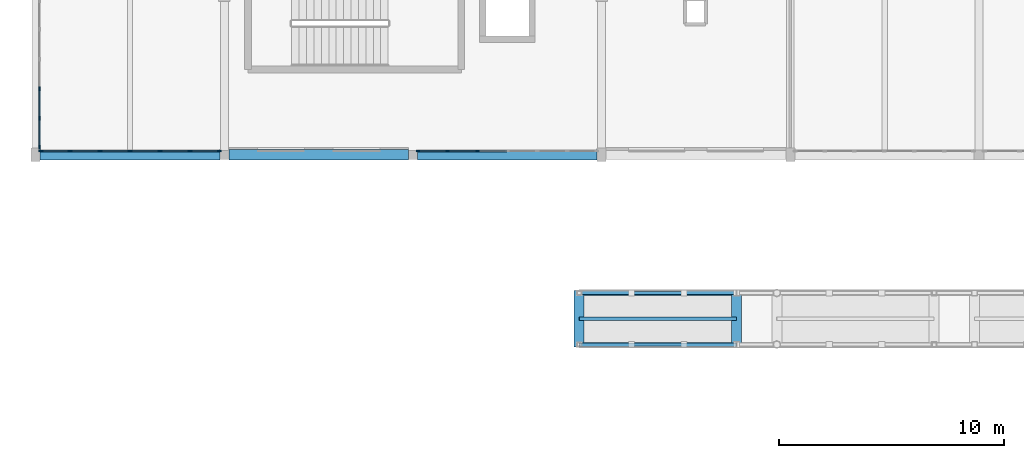
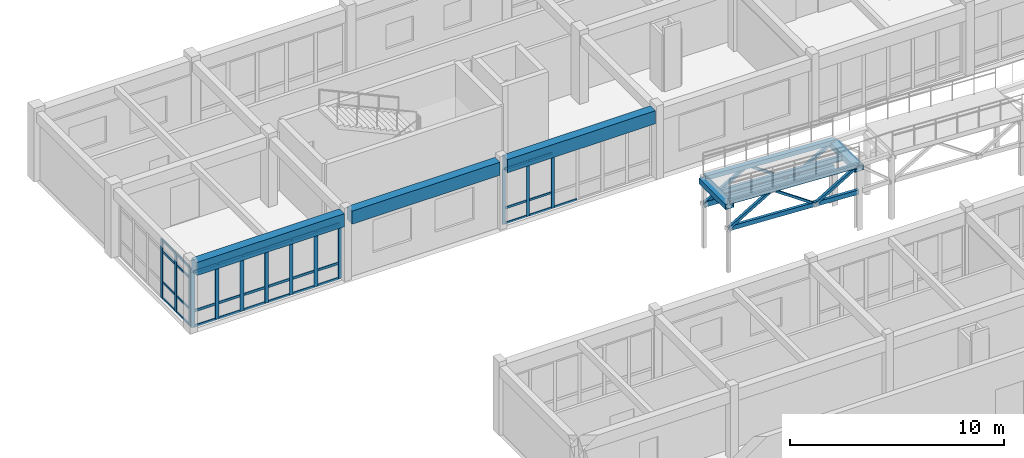
# One storey, part 25 of 89: 56 members, 6 beams, 3 elements without a shape of their own.
"""IFC4 building model written with IfcOpenShell, lengths in metres."""

from ifc_helpers import new_model, si_unit, direction, frame, origin, origin_2d, place, context, subcontext, project, spatial, rectangle, hollow_rectangle, i_section, extrude, material, material_profile, profile_set, type_object, element, aggregate, save


model = new_model("IFC4")

# Units and contexts
model_context = context("Model", 3, precision=1e-05, world=origin(), true_north=direction((0.0, 1.0)))
body_context = subcontext(model_context, "Body", "Model", "MODEL_VIEW")
ifc_project = project(units=[si_unit("LENGTHUNIT", "METRE"), si_unit("AREAUNIT", "SQUARE_METRE"), si_unit("VOLUMEUNIT", "CUBIC_METRE"), si_unit("PLANEANGLEUNIT", "RADIAN"), si_unit("MASSUNIT", "GRAM", prefix="KILO")], contexts=[model_context])

# Site, building, storey
site_placement = place(None, origin())
site = spatial("IfcSite", under=ifc_project, at=site_placement, CompositionType="ELEMENT")
building_placement = place(site_placement, origin())
building = spatial("IfcBuilding", under=site, at=building_placement, Name="Malvenik Polytechnic", CompositionType="ELEMENT")
storey_placement = place(building_placement, frame((0.0, 0.0, 13.5)))
storey = spatial("IfcBuildingStorey", under=building, at=storey_placement, Name="L03", CompositionType="ELEMENT", Elevation=13.5)

# Curtain wall, members
ifc_material_1 = material(Name="Anodised aluminium 6060-T6", Category="aluminium")
curtain_wall_type_1 = type_object("IfcCurtainWallType", Name="ARC-CW-CW-02", PredefinedType="NOTDEFINED", material=ifc_material_1)
curtain_wall_1_placement = place(storey_placement, origin())
curtain_wall_1 = element("IfcCurtainWall", 1, at=curtain_wall_1_placement, inside=storey, type_object=curtain_wall_type_1, Name="Unitised Curtain Wall CW-02 L03 #203", PredefinedType="NOTDEFINED")
ifc_material_2 = material(Name="Anodised aluminium", Category="aluminium")
ifc_material_profile_1 = material_profile(ifc_material_2, rectangle(XDim=0.06005859375, YDim=0.159912109375, at=origin_2d()), Name="ALU MULLION 60x160")
ifc_profile_set_1 = profile_set([ifc_material_profile_1], Name="Anodised aluminium")
member_type_1 = type_object("IfcMemberType", Name="ARC-CWM-160", PredefinedType="MULLION", material=ifc_profile_set_1)
member_1_placement = place(storey_placement, frame((19.666015625, 79.3701171875, 0.0), z_axis=(0.0, 0.0, 1.0), x_axis=(0.0, -1.0, 0.0)))
member_1 = element("IfcMember", 2, at=member_1_placement, type_object=member_type_1, Name="CW-02 mullion 5", PredefinedType="MULLION", context=body_context, shape_type="SweptSolid", body=[
    extrude(rectangle(XDim=0.06005859375, YDim=0.159912109375, at=origin_2d()), origin(), (0.0, 0.0, 1.0), 3.159912109375),
])
member_2_placement = place(storey_placement, frame((18.33203125, 79.3701171875, 0.0), z_axis=(0.0, 0.0, 1.0), x_axis=(0.0, -1.0, 0.0)))
member_2 = element("IfcMember", 3, at=member_2_placement, type_object=member_type_1, Name="CW-02 mullion 6", PredefinedType="MULLION", context=body_context, shape_type="SweptSolid", body=[
    extrude(rectangle(XDim=0.06005859375, YDim=0.159912109375, at=origin_2d()), origin(), (0.0, 0.0, 1.0), 3.159912109375),
])
member_3_placement = place(storey_placement, frame((17.028076171875, 79.3701171875, 0.0), z_axis=(0.0, 0.0, 1.0), x_axis=(0.0, -1.0, 0.0)))
member_3 = element("IfcMember", 4, at=member_3_placement, type_object=member_type_1, Name="CW-02 mullion 7", PredefinedType="MULLION", context=body_context, shape_type="SweptSolid", body=[
    extrude(rectangle(XDim=0.06005859375, YDim=0.159912109375, at=origin_2d()), origin(), (0.0, 0.0, 1.0), 3.159912109375),
])

curtain_wall_type_2 = type_object("IfcCurtainWallType", Name="ARC-CW-CW-05", PredefinedType="NOTDEFINED", material=ifc_material_1)
curtain_wall_2_placement = place(storey_placement, origin())
curtain_wall_2 = element("IfcCurtainWall", 5, at=curtain_wall_2_placement, inside=storey, type_object=curtain_wall_type_2, Name="Unitised Curtain Wall CW-05 L03 #205", PredefinedType="NOTDEFINED")
ifc_material_profile_2 = material_profile(ifc_material_2, rectangle(XDim=0.06005859375, YDim=0.179931640625, at=origin_2d()), Name="ALU MULLION 60x180")
ifc_profile_set_2 = profile_set([ifc_material_profile_2], Name="Anodised aluminium")
member_type_2 = type_object("IfcMemberType", Name="ARC-CWM-180", PredefinedType="MULLION", material=ifc_profile_set_2)
member_4_placement = place(storey_placement, frame((0.169921875, 79.528076171875, 0.0), z_axis=(0.0, 0.0, 1.0), x_axis=(-1.0, 0.0, 0.0)))
member_4 = element("IfcMember", 6, at=member_4_placement, type_object=member_type_2, Name="CW-05 mullion 1", PredefinedType="MULLION", context=body_context, shape_type="SweptSolid", body=[
    extrude(rectangle(XDim=0.06005859375, YDim=0.179931640625, at=origin_2d()), origin(), (0.0, 0.0, 1.0), 3.360107421875),
])
member_5_placement = place(storey_placement, frame((0.169921875, 80.81884765625, 0.0), z_axis=(0.0, 0.0, 1.0), x_axis=(-1.0, 0.0, 0.0)))
member_5 = element("IfcMember", 7, at=member_5_placement, type_object=member_type_2, Name="CW-05 mullion 2", PredefinedType="MULLION", context=body_context, shape_type="SweptSolid", body=[
    extrude(rectangle(XDim=0.06005859375, YDim=0.179931640625, at=origin_2d()), origin(), (0.0, 0.0, 1.0), 3.360107421875),
])
member_6_placement = place(storey_placement, frame((0.169921875, 82.1396484375, 0.0), z_axis=(0.0, 0.0, 1.0), x_axis=(-1.0, 0.0, 0.0)))
member_6 = element("IfcMember", 8, at=member_6_placement, type_object=member_type_2, Name="CW-05 mullion 3", PredefinedType="MULLION", context=body_context, shape_type="SweptSolid", body=[
    extrude(rectangle(XDim=0.06005859375, YDim=0.179931640625, at=origin_2d()), origin(), (0.0, 0.0, 1.0), 3.360107421875),
])

curtain_wall_3_placement = place(storey_placement, origin())
curtain_wall_3 = element("IfcCurtainWall", 9, at=curtain_wall_3_placement, inside=storey, type_object=curtain_wall_type_1, Name="Unitised Curtain Wall CW-02 L03 #204", PredefinedType="NOTDEFINED")
ifc_material_profile_3 = material_profile(ifc_material_2, rectangle(XDim=0.06005859375, YDim=0.199951171875, at=origin_2d()), Name="ALU MULLION 60x200")
ifc_profile_set_3 = profile_set([ifc_material_profile_3], Name="Anodised aluminium")
member_type_3 = type_object("IfcMemberType", Name="ARC-CWM-200", PredefinedType="MULLION", material=ifc_profile_set_3)
member_7_placement = place(storey_placement, frame((8.172119140625, 79.3701171875, 0.0), z_axis=(0.0, 0.0, 1.0), x_axis=(0.0, -1.0, 0.0)))
member_7 = element("IfcMember", 10, at=member_7_placement, type_object=member_type_3, Name="CW-02 mullion 1", PredefinedType="MULLION", context=body_context, shape_type="SweptSolid", body=[
    extrude(rectangle(XDim=0.06005859375, YDim=0.199951171875, at=origin_2d()), origin(), (0.0, 0.0, 1.0), 3.159912109375),
])
member_8_placement = place(storey_placement, frame((6.867919921875, 79.3701171875, 0.0), z_axis=(0.0, 0.0, 1.0), x_axis=(0.0, -1.0, 0.0)))
member_8 = element("IfcMember", 11, at=member_8_placement, type_object=member_type_3, Name="CW-02 mullion 2", PredefinedType="MULLION", context=body_context, shape_type="SweptSolid", body=[
    extrude(rectangle(XDim=0.06005859375, YDim=0.199951171875, at=origin_2d()), origin(), (0.0, 0.0, 1.0), 3.159912109375),
])
member_9_placement = place(storey_placement, frame((5.533935546875, 79.3701171875, 0.0), z_axis=(0.0, 0.0, 1.0), x_axis=(0.0, -1.0, 0.0)))
member_9 = element("IfcMember", 12, at=member_9_placement, type_object=member_type_3, Name="CW-02 mullion 3", PredefinedType="MULLION", context=body_context, shape_type="SweptSolid", body=[
    extrude(rectangle(XDim=0.06005859375, YDim=0.199951171875, at=origin_2d()), origin(), (0.0, 0.0, 1.0), 3.159912109375),
])
member_10_placement = place(storey_placement, frame((4.199951171875, 79.3701171875, 0.0), z_axis=(0.0, 0.0, 1.0), x_axis=(0.0, -1.0, 0.0)))
member_10 = element("IfcMember", 13, at=member_10_placement, type_object=member_type_3, Name="CW-02 mullion 4", PredefinedType="MULLION", context=body_context, shape_type="SweptSolid", body=[
    extrude(rectangle(XDim=0.06005859375, YDim=0.199951171875, at=origin_2d()), origin(), (0.0, 0.0, 1.0), 3.159912109375),
])
member_11_placement = place(storey_placement, frame((2.865966796875, 79.3701171875, 0.0), z_axis=(0.0, 0.0, 1.0), x_axis=(0.0, -1.0, 0.0)))
member_11 = element("IfcMember", 14, at=member_11_placement, type_object=member_type_3, Name="CW-02 mullion 5", PredefinedType="MULLION", context=body_context, shape_type="SweptSolid", body=[
    extrude(rectangle(XDim=0.06005859375, YDim=0.199951171875, at=origin_2d()), origin(), (0.0, 0.0, 1.0), 3.159912109375),
])
member_12_placement = place(storey_placement, frame((1.531982421875, 79.3701171875, 0.0), z_axis=(0.0, 0.0, 1.0), x_axis=(0.0, -1.0, 0.0)))
member_12 = element("IfcMember", 15, at=member_12_placement, type_object=member_type_3, Name="CW-02 mullion 6", PredefinedType="MULLION", context=body_context, shape_type="SweptSolid", body=[
    extrude(rectangle(XDim=0.06005859375, YDim=0.199951171875, at=origin_2d()), origin(), (0.0, 0.0, 1.0), 3.159912109375),
])
member_13_placement = place(storey_placement, frame((0.22802734375, 79.3701171875, 0.0), z_axis=(0.0, 0.0, 1.0), x_axis=(0.0, -1.0, 0.0)))
member_13 = element("IfcMember", 16, at=member_13_placement, type_object=member_type_3, Name="CW-02 mullion 7", PredefinedType="MULLION", context=body_context, shape_type="SweptSolid", body=[
    extrude(rectangle(XDim=0.06005859375, YDim=0.199951171875, at=origin_2d()), origin(), (0.0, 0.0, 1.0), 3.159912109375),
])

# Member
ifc_material_profile_4 = material_profile(ifc_material_2, rectangle(XDim=0.06005859375, YDim=0.1201171875, at=origin_2d()), Name="ALU TRANSOM 60x120")
ifc_profile_set_4 = profile_set([ifc_material_profile_4], Name="Anodised aluminium")
member_type_4 = type_object("IfcMemberType", Name="ARC-CWT-120", PredefinedType="USERDEFINED", material=ifc_profile_set_4)
member_14_placement = place(storey_placement, frame((20.969970703125, 79.3701171875, 0.030029296875), z_axis=(-1.0, 0.0, 0.0), x_axis=(0.0, -1.0, 0.0)))
member_14 = element("IfcMember", 17, at=member_14_placement, type_object=member_type_4, Name="CW-02 transom 4.1", ObjectType="TRANSOM", PredefinedType="USERDEFINED", context=body_context, shape_type="SweptSolid", body=[
    extrude(rectangle(XDim=0.06005859375, YDim=0.1201171875, at=origin_2d()), origin(), (0.0, 0.0, 1.0), 1.27392578125),
])

member_15_placement = place(storey_placement, frame((19.635986328125, 79.3701171875, 0.030029296875), z_axis=(-1.0, 0.0, 0.0), x_axis=(0.0, -1.0, 0.0)))
member_15 = element("IfcMember", 18, at=member_15_placement, type_object=member_type_4, Name="CW-02 transom 5.1", ObjectType="TRANSOM", PredefinedType="USERDEFINED", context=body_context, shape_type="SweptSolid", body=[
    extrude(rectangle(XDim=0.06005859375, YDim=0.1201171875, at=origin_2d()), origin(), (0.0, 0.0, 1.0), 1.27392578125),
])

member_16_placement = place(storey_placement, frame((19.635986328125, 79.3701171875, 0.89990234375), z_axis=(-1.0, 0.0, 0.0), x_axis=(0.0, -1.0, 0.0)))
member_16 = element("IfcMember", 19, at=member_16_placement, type_object=member_type_4, Name="CW-02 transom 5.2", ObjectType="TRANSOM", PredefinedType="USERDEFINED", context=body_context, shape_type="SweptSolid", body=[
    extrude(rectangle(XDim=0.06005859375, YDim=0.1201171875, at=origin_2d()), origin(), (0.0, 0.0, 1.0), 1.27392578125),
])

member_17_placement = place(storey_placement, frame((19.635986328125, 79.3701171875, 3.1298828125), z_axis=(-1.0, 0.0, 0.0), x_axis=(0.0, -1.0, 0.0)))
member_17 = element("IfcMember", 20, at=member_17_placement, type_object=member_type_4, Name="CW-02 transom 5.3", ObjectType="TRANSOM", PredefinedType="USERDEFINED", context=body_context, shape_type="SweptSolid", body=[
    extrude(rectangle(XDim=0.06005859375, YDim=0.1201171875, at=origin_2d()), origin(), (0.0, 0.0, 1.0), 1.27392578125),
])

member_18_placement = place(storey_placement, frame((18.302001953125, 79.3701171875, 0.030029296875), z_axis=(-1.0, 0.0, 0.0), x_axis=(0.0, -1.0, 0.0)))
member_18 = element("IfcMember", 21, at=member_18_placement, type_object=member_type_4, Name="CW-02 transom 6.1", ObjectType="TRANSOM", PredefinedType="USERDEFINED", context=body_context, shape_type="SweptSolid", body=[
    extrude(rectangle(XDim=0.06005859375, YDim=0.1201171875, at=origin_2d()), origin(), (0.0, 0.0, 1.0), 1.243896484375),
])

member_19_placement = place(storey_placement, frame((18.302001953125, 79.3701171875, 0.89990234375), z_axis=(-1.0, 0.0, 0.0), x_axis=(0.0, -1.0, 0.0)))
member_19 = element("IfcMember", 22, at=member_19_placement, type_object=member_type_4, Name="CW-02 transom 6.2", ObjectType="TRANSOM", PredefinedType="USERDEFINED", context=body_context, shape_type="SweptSolid", body=[
    extrude(rectangle(XDim=0.06005859375, YDim=0.1201171875, at=origin_2d()), origin(), (0.0, 0.0, 1.0), 1.243896484375),
])

member_20_placement = place(storey_placement, frame((18.302001953125, 79.3701171875, 3.1298828125), z_axis=(-1.0, 0.0, 0.0), x_axis=(0.0, -1.0, 0.0)))
member_20 = element("IfcMember", 23, at=member_20_placement, type_object=member_type_4, Name="CW-02 transom 6.3", ObjectType="TRANSOM", PredefinedType="USERDEFINED", context=body_context, shape_type="SweptSolid", body=[
    extrude(rectangle(XDim=0.06005859375, YDim=0.1201171875, at=origin_2d()), origin(), (0.0, 0.0, 1.0), 1.243896484375),
])

aggregate(curtain_wall_1, [member_1, member_2, member_3, member_14, member_15, member_16, member_17, member_18, member_19, member_20])

member_21_placement = place(storey_placement, frame((0.169921875, 79.55810546875, 0.030029296875), z_axis=(0.0, 1.0, 0.0), x_axis=(-1.0, 0.0, 0.0)))
member_21 = element("IfcMember", 24, at=member_21_placement, type_object=member_type_4, Name="CW-05 transom 1.1", ObjectType="TRANSOM", PredefinedType="USERDEFINED", context=body_context, shape_type="SweptSolid", body=[
    extrude(rectangle(XDim=0.06005859375, YDim=0.1201171875, at=origin_2d()), origin(), (0.0, 0.0, 1.0), 1.230712890625),
])

member_22_placement = place(storey_placement, frame((0.169921875, 79.55810546875, 0.949951171875), z_axis=(0.0, 1.0, 0.0), x_axis=(-1.0, 0.0, 0.0)))
member_22 = element("IfcMember", 25, at=member_22_placement, type_object=member_type_4, Name="CW-05 transom 1.2", ObjectType="TRANSOM", PredefinedType="USERDEFINED", context=body_context, shape_type="SweptSolid", body=[
    extrude(rectangle(XDim=0.06005859375, YDim=0.1201171875, at=origin_2d()), origin(), (0.0, 0.0, 1.0), 1.230712890625),
])

member_23_placement = place(storey_placement, frame((0.169921875, 79.55810546875, 2.7099609375), z_axis=(0.0, 1.0, 0.0), x_axis=(-1.0, 0.0, 0.0)))
member_23 = element("IfcMember", 26, at=member_23_placement, type_object=member_type_4, Name="CW-05 transom 1.3", ObjectType="TRANSOM", PredefinedType="USERDEFINED", context=body_context, shape_type="SweptSolid", body=[
    extrude(rectangle(XDim=0.06005859375, YDim=0.1201171875, at=origin_2d()), origin(), (0.0, 0.0, 1.0), 1.230712890625),
])

member_24_placement = place(storey_placement, frame((0.169921875, 79.55810546875, 3.330078125), z_axis=(0.0, 1.0, 0.0), x_axis=(-1.0, 0.0, 0.0)))
member_24 = element("IfcMember", 27, at=member_24_placement, type_object=member_type_4, Name="CW-05 transom 1.4", ObjectType="TRANSOM", PredefinedType="USERDEFINED", context=body_context, shape_type="SweptSolid", body=[
    extrude(rectangle(XDim=0.06005859375, YDim=0.1201171875, at=origin_2d()), origin(), (0.0, 0.0, 1.0), 1.230712890625),
])

member_25_placement = place(storey_placement, frame((0.169921875, 80.848876953125, 0.030029296875), z_axis=(0.0, 1.0, 0.0), x_axis=(-1.0, 0.0, 0.0)))
member_25 = element("IfcMember", 28, at=member_25_placement, type_object=member_type_4, Name="CW-05 transom 2.1", ObjectType="TRANSOM", PredefinedType="USERDEFINED", context=body_context, shape_type="SweptSolid", body=[
    extrude(rectangle(XDim=0.06005859375, YDim=0.1201171875, at=origin_2d()), origin(), (0.0, 0.0, 1.0), 1.2607421875),
])

member_26_placement = place(storey_placement, frame((0.169921875, 80.848876953125, 0.949951171875), z_axis=(0.0, 1.0, 0.0), x_axis=(-1.0, 0.0, 0.0)))
member_26 = element("IfcMember", 29, at=member_26_placement, type_object=member_type_4, Name="CW-05 transom 2.2", ObjectType="TRANSOM", PredefinedType="USERDEFINED", context=body_context, shape_type="SweptSolid", body=[
    extrude(rectangle(XDim=0.06005859375, YDim=0.1201171875, at=origin_2d()), origin(), (0.0, 0.0, 1.0), 1.2607421875),
])

member_27_placement = place(storey_placement, frame((0.169921875, 80.848876953125, 2.7099609375), z_axis=(0.0, 1.0, 0.0), x_axis=(-1.0, 0.0, 0.0)))
member_27 = element("IfcMember", 30, at=member_27_placement, type_object=member_type_4, Name="CW-05 transom 2.3", ObjectType="TRANSOM", PredefinedType="USERDEFINED", context=body_context, shape_type="SweptSolid", body=[
    extrude(rectangle(XDim=0.06005859375, YDim=0.1201171875, at=origin_2d()), origin(), (0.0, 0.0, 1.0), 1.2607421875),
])

member_28_placement = place(storey_placement, frame((0.169921875, 80.848876953125, 3.330078125), z_axis=(0.0, 1.0, 0.0), x_axis=(-1.0, 0.0, 0.0)))
member_28 = element("IfcMember", 31, at=member_28_placement, type_object=member_type_4, Name="CW-05 transom 2.4", ObjectType="TRANSOM", PredefinedType="USERDEFINED", context=body_context, shape_type="SweptSolid", body=[
    extrude(rectangle(XDim=0.06005859375, YDim=0.1201171875, at=origin_2d()), origin(), (0.0, 0.0, 1.0), 1.2607421875),
])

aggregate(curtain_wall_2, [member_4, member_5, member_6, member_21, member_22, member_23, member_24, member_25, member_26, member_27, member_28])

ifc_material_profile_5 = material_profile(ifc_material_2, rectangle(XDim=0.06005859375, YDim=0.139892578125, at=origin_2d()), Name="ALU TRANSOM 60x140")
ifc_profile_set_5 = profile_set([ifc_material_profile_5], Name="Anodised aluminium")
member_type_5 = type_object("IfcMemberType", Name="ARC-CWT-140", PredefinedType="USERDEFINED", material=ifc_profile_set_5)
member_29_placement = place(storey_placement, frame((8.14208984375, 79.3701171875, 0.030029296875), z_axis=(-1.0, 0.0, 0.0), x_axis=(0.0, -1.0, 0.0)))
member_29 = element("IfcMember", 32, at=member_29_placement, type_object=member_type_5, Name="CW-02 transom 1.1", ObjectType="TRANSOM", PredefinedType="USERDEFINED", context=body_context, shape_type="SweptSolid", body=[
    extrude(rectangle(XDim=0.06005859375, YDim=0.139892578125, at=origin_2d()), origin(), (0.0, 0.0, 1.0), 1.244140625),
])

member_30_placement = place(storey_placement, frame((8.14208984375, 79.3701171875, 0.89990234375), z_axis=(-1.0, 0.0, 0.0), x_axis=(0.0, -1.0, 0.0)))
member_30 = element("IfcMember", 33, at=member_30_placement, type_object=member_type_5, Name="CW-02 transom 1.2", ObjectType="TRANSOM", PredefinedType="USERDEFINED", context=body_context, shape_type="SweptSolid", body=[
    extrude(rectangle(XDim=0.06005859375, YDim=0.139892578125, at=origin_2d()), origin(), (0.0, 0.0, 1.0), 1.244140625),
])

member_31_placement = place(storey_placement, frame((8.14208984375, 79.3701171875, 3.1298828125), z_axis=(-1.0, 0.0, 0.0), x_axis=(0.0, -1.0, 0.0)))
member_31 = element("IfcMember", 34, at=member_31_placement, type_object=member_type_5, Name="CW-02 transom 1.3", ObjectType="TRANSOM", PredefinedType="USERDEFINED", context=body_context, shape_type="SweptSolid", body=[
    extrude(rectangle(XDim=0.06005859375, YDim=0.139892578125, at=origin_2d()), origin(), (0.0, 0.0, 1.0), 1.244140625),
])

member_32_placement = place(storey_placement, frame((6.837890625, 79.3701171875, 0.030029296875), z_axis=(-1.0, 0.0, 0.0), x_axis=(0.0, -1.0, 0.0)))
member_32 = element("IfcMember", 35, at=member_32_placement, type_object=member_type_5, Name="CW-02 transom 2.1", ObjectType="TRANSOM", PredefinedType="USERDEFINED", context=body_context, shape_type="SweptSolid", body=[
    extrude(rectangle(XDim=0.06005859375, YDim=0.139892578125, at=origin_2d()), origin(), (0.0, 0.0, 1.0), 1.27392578125),
])

member_33_placement = place(storey_placement, frame((6.837890625, 79.3701171875, 0.89990234375), z_axis=(-1.0, 0.0, 0.0), x_axis=(0.0, -1.0, 0.0)))
member_33 = element("IfcMember", 36, at=member_33_placement, type_object=member_type_5, Name="CW-02 transom 2.2", ObjectType="TRANSOM", PredefinedType="USERDEFINED", context=body_context, shape_type="SweptSolid", body=[
    extrude(rectangle(XDim=0.06005859375, YDim=0.139892578125, at=origin_2d()), origin(), (0.0, 0.0, 1.0), 1.27392578125),
])

member_34_placement = place(storey_placement, frame((6.837890625, 79.3701171875, 3.1298828125), z_axis=(-1.0, 0.0, 0.0), x_axis=(0.0, -1.0, 0.0)))
member_34 = element("IfcMember", 37, at=member_34_placement, type_object=member_type_5, Name="CW-02 transom 2.3", ObjectType="TRANSOM", PredefinedType="USERDEFINED", context=body_context, shape_type="SweptSolid", body=[
    extrude(rectangle(XDim=0.06005859375, YDim=0.139892578125, at=origin_2d()), origin(), (0.0, 0.0, 1.0), 1.27392578125),
])

member_35_placement = place(storey_placement, frame((5.50390625, 79.3701171875, 0.030029296875), z_axis=(-1.0, 0.0, 0.0), x_axis=(0.0, -1.0, 0.0)))
member_35 = element("IfcMember", 38, at=member_35_placement, type_object=member_type_5, Name="CW-02 transom 3.1", ObjectType="TRANSOM", PredefinedType="USERDEFINED", context=body_context, shape_type="SweptSolid", body=[
    extrude(rectangle(XDim=0.06005859375, YDim=0.139892578125, at=origin_2d()), origin(), (0.0, 0.0, 1.0), 1.27392578125),
])

member_36_placement = place(storey_placement, frame((5.50390625, 79.3701171875, 0.89990234375), z_axis=(-1.0, 0.0, 0.0), x_axis=(0.0, -1.0, 0.0)))
member_36 = element("IfcMember", 39, at=member_36_placement, type_object=member_type_5, Name="CW-02 transom 3.2", ObjectType="TRANSOM", PredefinedType="USERDEFINED", context=body_context, shape_type="SweptSolid", body=[
    extrude(rectangle(XDim=0.06005859375, YDim=0.139892578125, at=origin_2d()), origin(), (0.0, 0.0, 1.0), 1.27392578125),
])

member_37_placement = place(storey_placement, frame((5.50390625, 79.3701171875, 3.1298828125), z_axis=(-1.0, 0.0, 0.0), x_axis=(0.0, -1.0, 0.0)))
member_37 = element("IfcMember", 40, at=member_37_placement, type_object=member_type_5, Name="CW-02 transom 3.3", ObjectType="TRANSOM", PredefinedType="USERDEFINED", context=body_context, shape_type="SweptSolid", body=[
    extrude(rectangle(XDim=0.06005859375, YDim=0.139892578125, at=origin_2d()), origin(), (0.0, 0.0, 1.0), 1.27392578125),
])

member_38_placement = place(storey_placement, frame((4.169921875, 79.3701171875, 0.030029296875), z_axis=(-1.0, 0.0, 0.0), x_axis=(0.0, -1.0, 0.0)))
member_38 = element("IfcMember", 41, at=member_38_placement, type_object=member_type_5, Name="CW-02 transom 4.1", ObjectType="TRANSOM", PredefinedType="USERDEFINED", context=body_context, shape_type="SweptSolid", body=[
    extrude(rectangle(XDim=0.06005859375, YDim=0.139892578125, at=origin_2d()), origin(), (0.0, 0.0, 1.0), 1.27392578125),
])

member_39_placement = place(storey_placement, frame((4.169921875, 79.3701171875, 0.89990234375), z_axis=(-1.0, 0.0, 0.0), x_axis=(0.0, -1.0, 0.0)))
member_39 = element("IfcMember", 42, at=member_39_placement, type_object=member_type_5, Name="CW-02 transom 4.2", ObjectType="TRANSOM", PredefinedType="USERDEFINED", context=body_context, shape_type="SweptSolid", body=[
    extrude(rectangle(XDim=0.06005859375, YDim=0.139892578125, at=origin_2d()), origin(), (0.0, 0.0, 1.0), 1.27392578125),
])

member_40_placement = place(storey_placement, frame((4.169921875, 79.3701171875, 3.1298828125), z_axis=(-1.0, 0.0, 0.0), x_axis=(0.0, -1.0, 0.0)))
member_40 = element("IfcMember", 43, at=member_40_placement, type_object=member_type_5, Name="CW-02 transom 4.3", ObjectType="TRANSOM", PredefinedType="USERDEFINED", context=body_context, shape_type="SweptSolid", body=[
    extrude(rectangle(XDim=0.06005859375, YDim=0.139892578125, at=origin_2d()), origin(), (0.0, 0.0, 1.0), 1.27392578125),
])

member_41_placement = place(storey_placement, frame((2.8359375, 79.3701171875, 0.030029296875), z_axis=(-1.0, 0.0, 0.0), x_axis=(0.0, -1.0, 0.0)))
member_41 = element("IfcMember", 44, at=member_41_placement, type_object=member_type_5, Name="CW-02 transom 5.1", ObjectType="TRANSOM", PredefinedType="USERDEFINED", context=body_context, shape_type="SweptSolid", body=[
    extrude(rectangle(XDim=0.06005859375, YDim=0.139892578125, at=origin_2d()), origin(), (0.0, 0.0, 1.0), 1.27392578125),
])

member_42_placement = place(storey_placement, frame((2.8359375, 79.3701171875, 0.89990234375), z_axis=(-1.0, 0.0, 0.0), x_axis=(0.0, -1.0, 0.0)))
member_42 = element("IfcMember", 45, at=member_42_placement, type_object=member_type_5, Name="CW-02 transom 5.2", ObjectType="TRANSOM", PredefinedType="USERDEFINED", context=body_context, shape_type="SweptSolid", body=[
    extrude(rectangle(XDim=0.06005859375, YDim=0.139892578125, at=origin_2d()), origin(), (0.0, 0.0, 1.0), 1.27392578125),
])

member_43_placement = place(storey_placement, frame((2.8359375, 79.3701171875, 3.1298828125), z_axis=(-1.0, 0.0, 0.0), x_axis=(0.0, -1.0, 0.0)))
member_43 = element("IfcMember", 46, at=member_43_placement, type_object=member_type_5, Name="CW-02 transom 5.3", ObjectType="TRANSOM", PredefinedType="USERDEFINED", context=body_context, shape_type="SweptSolid", body=[
    extrude(rectangle(XDim=0.06005859375, YDim=0.139892578125, at=origin_2d()), origin(), (0.0, 0.0, 1.0), 1.27392578125),
])

member_44_placement = place(storey_placement, frame((1.501953125, 79.3701171875, 0.030029296875), z_axis=(-1.0, 0.0, 0.0), x_axis=(0.0, -1.0, 0.0)))
member_44 = element("IfcMember", 47, at=member_44_placement, type_object=member_type_5, Name="CW-02 transom 6.1", ObjectType="TRANSOM", PredefinedType="USERDEFINED", context=body_context, shape_type="SweptSolid", body=[
    extrude(rectangle(XDim=0.06005859375, YDim=0.139892578125, at=origin_2d()), origin(), (0.0, 0.0, 1.0), 1.243896484375),
])

member_45_placement = place(storey_placement, frame((1.501953125, 79.3701171875, 0.89990234375), z_axis=(-1.0, 0.0, 0.0), x_axis=(0.0, -1.0, 0.0)))
member_45 = element("IfcMember", 48, at=member_45_placement, type_object=member_type_5, Name="CW-02 transom 6.2", ObjectType="TRANSOM", PredefinedType="USERDEFINED", context=body_context, shape_type="SweptSolid", body=[
    extrude(rectangle(XDim=0.06005859375, YDim=0.139892578125, at=origin_2d()), origin(), (0.0, 0.0, 1.0), 1.243896484375),
])

member_46_placement = place(storey_placement, frame((1.501953125, 79.3701171875, 3.1298828125), z_axis=(-1.0, 0.0, 0.0), x_axis=(0.0, -1.0, 0.0)))
member_46 = element("IfcMember", 49, at=member_46_placement, type_object=member_type_5, Name="CW-02 transom 6.3", ObjectType="TRANSOM", PredefinedType="USERDEFINED", context=body_context, shape_type="SweptSolid", body=[
    extrude(rectangle(XDim=0.06005859375, YDim=0.139892578125, at=origin_2d()), origin(), (0.0, 0.0, 1.0), 1.243896484375),
])

aggregate(curtain_wall_3, [member_7, member_8, member_9, member_10, member_11, member_12, member_13, member_29, member_30, member_31, member_32, member_33, member_34, member_35, member_36, member_37, member_38, member_39, member_40, member_41, member_42, member_43, member_44, member_45, member_46])

# Beams
ifc_material_3 = material(Name="Steel S355J2H", Category="steel")
ifc_material_profile_6 = material_profile(ifc_material_3, hollow_rectangle(XDim=0.449951171875, YDim=0.300048828125, WallThickness=0.012451171875, at=origin_2d()), Name="RHS 450x300x12.5")
ifc_profile_set_6 = profile_set([ifc_material_profile_6], Name="Steel S355J2H")
beam_type_1 = type_object("IfcBeamType", Name="STR-BM-SB-07", PredefinedType="BEAM", material=ifc_profile_set_6)
for number, where, z_axis, x_axis, name in (
    (50, (31.199951171875, 70.64990234375, 3.48193359375), (0.0, 1.0, 0.0), (-1.0, 0.0, 0.0), "Ramp Joint Transom RB-02 #22"),
    (51, (24.199951171875, 70.64990234375, 3.802001953125), (0.0, 1.0, 0.0), (-1.0, 0.0, 0.0), "Ramp Joint Transom RB-02 #23"),
):
    element("IfcBeam", number, at=place(storey_placement, frame(where, z_axis=z_axis, x_axis=x_axis)), inside=storey, type_object=beam_type_1, Name=name, PredefinedType="BEAM", context=body_context, shape_type="SweptSolid", body=[
        extrude(hollow_rectangle(XDim=0.449951171875, YDim=0.300048828125, WallThickness=0.012451171875, at=origin_2d()), origin(), (0.0, 0.0, 1.0), 2.5),
    ])
ifc_material_4 = material(Name="Steel S355", Category="steel")
ifc_material_profile_7 = material_profile(ifc_material_4, i_section(OverallWidth=0.14990234375, OverallDepth=0.300048828125, WebThickness=0.007080078125, FlangeThickness=0.0107421875, FilletRadius=0.014892578125, at=origin_2d()), Name="IPE 300")
ifc_profile_set_7 = profile_set([ifc_material_profile_7], Name="Steel S355")
beam_type_2 = type_object("IfcBeamType", Name="STR-BM-SB-09", PredefinedType="JOIST", material=ifc_profile_set_7)
beam_1_placement = place(storey_placement, frame((31.199951171875, 71.89990234375, 3.425048828125), z_axis=(-0.998753381067, 0.0, 0.049916768801), x_axis=(0.0, -1.0, 0.0)))
element("IfcBeam", 52, at=beam_1_placement, inside=storey, type_object=beam_type_2, Name="Ramp Centreline Stringer RB-02 #22", PredefinedType="JOIST", context=body_context, shape_type="SweptSolid", body=[
    extrude(i_section(OverallWidth=0.14990234375, OverallDepth=0.300048828125, WebThickness=0.007080078125, FlangeThickness=0.0107421875, FilletRadius=0.014892578125, at=origin_2d()), origin(), (0.0, 0.0, 1.0), 7.0087890625),
])
ifc_material_5 = material(Name="Precast concrete C40/50", Category="concrete")
ifc_material_profile_8 = material_profile(ifc_material_5, rectangle(XDim=0.4599609375, YDim=0.75, at=origin_2d()), Name="PC SPN 460x750")
ifc_profile_set_8 = profile_set([ifc_material_profile_8], Name="Precast concrete C40/50")
beam_type_3 = type_object("IfcBeamType", Name="STR-BM-SP-02", PredefinedType="SPANDREL", material=ifc_profile_set_8)
beam_2_placement = place(storey_placement, frame((0.197998046875, 79.199951171875, 3.544921875), z_axis=(1.0, 0.0, 0.0), x_axis=(0.0, 1.0, 0.0)))
element("IfcBeam", 53, at=beam_2_placement, inside=storey, type_object=beam_type_3, Name="Primary Beam SP-02 L03 #1634", PredefinedType="SPANDREL", context=body_context, shape_type="SweptSolid", body=[
    extrude(rectangle(XDim=0.4599609375, YDim=0.75, at=origin_2d()), origin(), (0.0, 0.0, 1.0), 8.00390625),
])
beam_3_placement = place(storey_placement, frame((8.597900390625, 79.199951171875, 3.544921875), z_axis=(1.0, 0.0, 0.0), x_axis=(0.0, 1.0, 0.0)))
element("IfcBeam", 54, at=beam_3_placement, inside=storey, type_object=beam_type_3, Name="Primary Beam SP-02 L03 #1635", PredefinedType="SPANDREL", context=body_context, shape_type="SweptSolid", body=[
    extrude(rectangle(XDim=0.4599609375, YDim=0.75, at=origin_2d()), origin(), (0.0, 0.0, 1.0), 8.004150390625),
])
beam_4_placement = place(storey_placement, frame((16.998046875, 79.199951171875, 3.544921875), z_axis=(1.0, 0.0, 0.0), x_axis=(0.0, 1.0, 0.0)))
element("IfcBeam", 55, at=beam_4_placement, inside=storey, type_object=beam_type_3, Name="Primary Beam SP-02 L03 #1636", PredefinedType="SPANDREL", context=body_context, shape_type="SweptSolid", body=[
    extrude(rectangle(XDim=0.4599609375, YDim=0.75, at=origin_2d()), origin(), (0.0, 0.0, 1.0), 8.00390625),
])

# Members
ifc_material_profile_9 = material_profile(ifc_material_3, hollow_rectangle(XDim=0.14990234375, YDim=0.25, WallThickness=0.010009765625, at=origin_2d()), Name="RHS 250x150x10.0")
ifc_profile_set_9 = profile_set([ifc_material_profile_9], Name="Steel S355J2H")
member_type_6 = type_object("IfcMemberType", Name="STR-MEM-TRB-01", PredefinedType="CHORD", material=ifc_profile_set_9)
member_47_placement = place(storey_placement, frame((31.196044921875, 70.75, 2.130126953125), z_axis=(-0.998752251909, 0.0, 0.049939356288), x_axis=(0.0, -1.0, 0.0)))
element("IfcMember", 56, at=member_47_placement, inside=storey, type_object=member_type_6, Name="Space-Frame Tube TRB-01 STR-TR-BC-RB-02-1-22", PredefinedType="CHORD", context=body_context, shape_type="SweptSolid", body=[
    extrude(hollow_rectangle(XDim=0.14990234375, YDim=0.25, WallThickness=0.010009765625, at=origin_2d()), origin(), (0.0, 0.0, 1.0), 7.000732421875),
])
ifc_material_profile_10 = material_profile(ifc_material_3, hollow_rectangle(XDim=0.199951171875, YDim=0.300048828125, WallThickness=0.010009765625, at=origin_2d()), Name="RHS 300x200x10.0")
ifc_profile_set_10 = profile_set([ifc_material_profile_10], Name="Steel S355J2H")
member_type_7 = type_object("IfcMemberType", Name="STR-MEM-TRB-02", PredefinedType="CHORD", material=ifc_profile_set_10)
member_48_placement = place(storey_placement, frame((31.196044921875, 73.050048828125, 2.130126953125), z_axis=(-0.998752251909, 0.0, 0.049939356288), x_axis=(0.0, -1.0, 0.0)))
element("IfcMember", 57, at=member_48_placement, inside=storey, type_object=member_type_7, Name="Space-Frame Tube TRB-02 STR-TR-BC-RB-02-2-22", PredefinedType="CHORD", context=body_context, shape_type="SweptSolid", body=[
    extrude(hollow_rectangle(XDim=0.199951171875, YDim=0.300048828125, WallThickness=0.010009765625, at=origin_2d()), origin(), (0.0, 0.0, 1.0), 7.000732421875),
])
ifc_material_profile_11 = material_profile(ifc_material_3, hollow_rectangle(XDim=0.14990234375, YDim=0.14990234375, WallThickness=0.008056640625, at=origin_2d()), Name="SHS 150x150x8.0")
ifc_profile_set_11 = profile_set([ifc_material_profile_11], Name="Steel S355J2H")
member_type_8 = type_object("IfcMemberType", Name="STR-MEM-TRD-01", PredefinedType="BRACE", material=ifc_profile_set_11)
for number, where, z_axis, x_axis, name in (
    (58, (31.196533203125, 70.75, 3.6279296875), (-0.860205006447, 0.0, -0.509948376684), (0.0, -1.0, 0.0), "Space-Frame Tube TRD-01 STR-TRD-01-RB-02-1-22"),
    (59, (26.52978515625, 70.75, 3.861328125), (-0.860165406805, 0.0, -0.51001516932), (0.0, -1.0, 0.0), "Space-Frame Tube TRD-01 STR-TRD-03-RB-02-1-22"),
    (60, (31.196533203125, 73.050048828125, 3.6279296875), (-0.860205006447, 0.0, -0.509948376684), (0.0, -1.0, 0.0), "Space-Frame Tube TRD-01 STR-TRD-01-RB-02-2-22"),
    (61, (26.52978515625, 73.050048828125, 3.861328125), (-0.860165406805, 0.0, -0.51001516932), (0.0, -1.0, 0.0), "Space-Frame Tube TRD-01 STR-TRD-03-RB-02-2-22"),
):
    element("IfcMember", number, at=place(storey_placement, frame(where, z_axis=z_axis, x_axis=x_axis)), inside=storey, type_object=member_type_8, Name=name, PredefinedType="BRACE", context=body_context, shape_type="SweptSolid", body=[
        extrude(hollow_rectangle(XDim=0.14990234375, YDim=0.14990234375, WallThickness=0.008056640625, at=origin_2d()), origin(), (0.0, 0.0, 1.0), 2.70458984375),
    ])
ifc_material_profile_12 = material_profile(ifc_material_3, hollow_rectangle(XDim=0.1201171875, YDim=0.1201171875, WallThickness=0.00634765625, at=origin_2d()), Name="SHS 120x120x6.3")
ifc_profile_set_12 = profile_set([ifc_material_profile_12], Name="Steel S355J2H")
member_type_9 = type_object("IfcMemberType", Name="STR-MEM-TRD-02", PredefinedType="BRACE", material=ifc_profile_set_12)
for number, where, z_axis, x_axis, name in (
    (62, (28.86328125, 70.75, 2.2490234375), (-0.821977884392, 0.0, 0.569519409301), (0.0, -1.0, 0.0), "Space-Frame Tube TRD-02 STR-TRD-02-RB-02-1-22"),
    (63, (28.86328125, 73.050048828125, 2.2490234375), (-0.821977884392, 0.0, 0.569519409301), (0.0, -1.0, 0.0), "Space-Frame Tube TRD-02 STR-TRD-02-RB-02-2-22"),
):
    element("IfcMember", number, at=place(storey_placement, frame(where, z_axis=z_axis, x_axis=x_axis)), inside=storey, type_object=member_type_9, Name=name, PredefinedType="BRACE", context=body_context, shape_type="SweptSolid", body=[
        extrude(hollow_rectangle(XDim=0.1201171875, YDim=0.1201171875, WallThickness=0.00634765625, at=origin_2d()), origin(), (0.0, 0.0, 1.0), 2.83056640625),
    ])
ifc_material_profile_13 = material_profile(ifc_material_3, hollow_rectangle(XDim=0.199951171875, YDim=0.199951171875, WallThickness=0.010009765625, at=origin_2d()), Name="SHS 200x200x10.0")
ifc_profile_set_13 = profile_set([ifc_material_profile_13], Name="Steel S355J2H")
member_type_10 = type_object("IfcMemberType", Name="STR-MEM-TRT-01", PredefinedType="CHORD", material=ifc_profile_set_13)
member_49_placement = place(storey_placement, frame((31.196044921875, 70.75, 3.630126953125), z_axis=(-0.998752251909, 0.0, 0.049939356288), x_axis=(0.0, -1.0, 0.0)))
element("IfcMember", 64, at=member_49_placement, inside=storey, type_object=member_type_10, Name="Space-Frame Tube TRT-01 STR-TR-TC-RB-02-1-22", PredefinedType="CHORD", context=body_context, shape_type="SweptSolid", body=[
    extrude(hollow_rectangle(XDim=0.199951171875, YDim=0.199951171875, WallThickness=0.010009765625, at=origin_2d()), origin(), (0.0, 0.0, 1.0), 7.000732421875),
])
ifc_material_profile_14 = material_profile(ifc_material_3, hollow_rectangle(XDim=0.25, YDim=0.25, WallThickness=0.010009765625, at=origin_2d()), Name="SHS 250x250x10.0")
ifc_profile_set_14 = profile_set([ifc_material_profile_14], Name="Steel S355J2H")
member_type_11 = type_object("IfcMemberType", Name="STR-MEM-TRT-02", PredefinedType="CHORD", material=ifc_profile_set_14)
member_50_placement = place(storey_placement, frame((31.196044921875, 73.050048828125, 3.630126953125), z_axis=(-0.998752251909, 0.0, 0.049939356288), x_axis=(0.0, -1.0, 0.0)))
element("IfcMember", 65, at=member_50_placement, inside=storey, type_object=member_type_11, Name="Space-Frame Tube TRT-02 STR-TR-TC-RB-02-2-22", PredefinedType="CHORD", context=body_context, shape_type="SweptSolid", body=[
    extrude(hollow_rectangle(XDim=0.25, YDim=0.25, WallThickness=0.010009765625, at=origin_2d()), origin(), (0.0, 0.0, 1.0), 7.000732421875),
])

save(model, "model.ifc")
